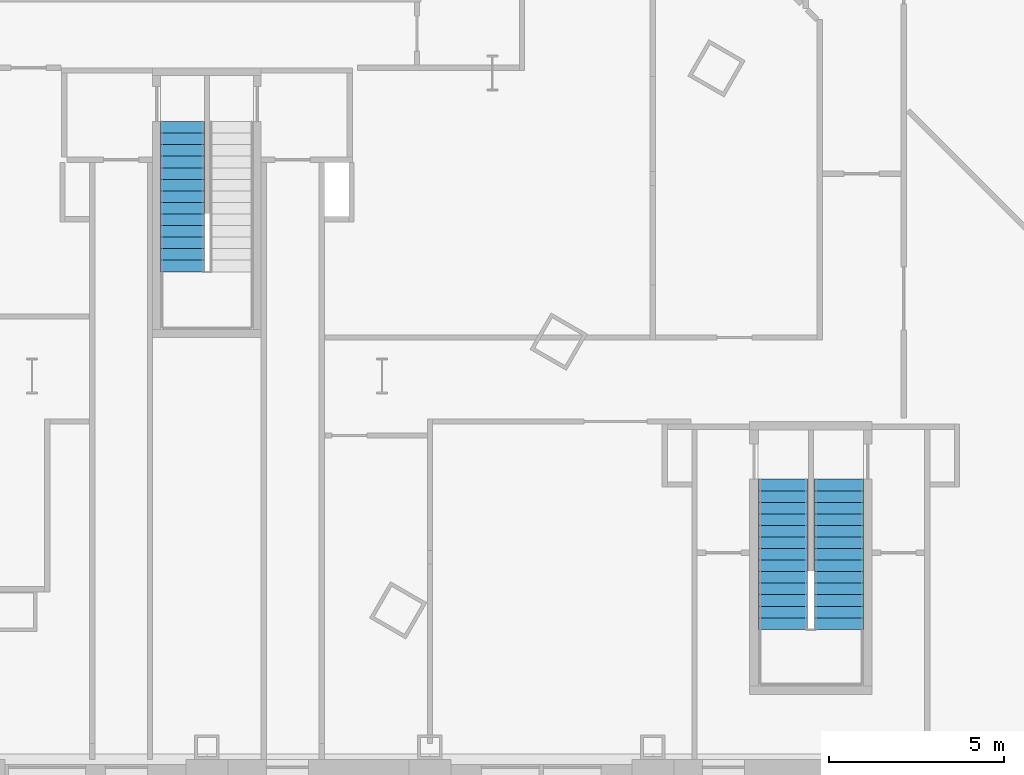
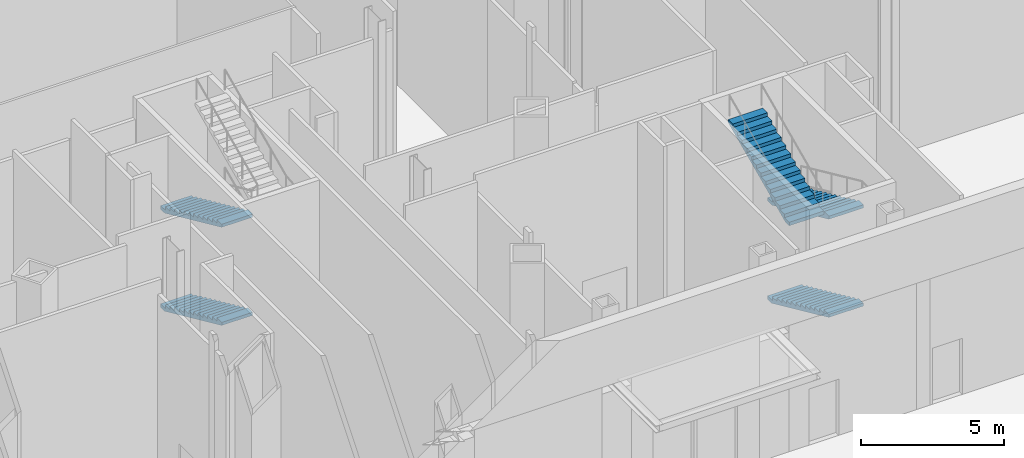
# One storey, part 26 of 34: 5 stair flights, 2 elements without a shape of their own.
"""IFC4 building model written with IfcOpenShell, lengths in metres."""

from ifc_helpers import new_model, si_unit, direction, frame, origin, place, context, subcontext, project, spatial, polygons, material, type_object, element, aggregate, save


model = new_model("IFC4")

# Units and contexts
model_context = context("Model", 3, precision=1e-05, world=origin(), true_north=direction((0.0, 1.0)))
body_context = subcontext(model_context, "Body", "Model", "MODEL_VIEW")
ifc_project = project(units=[si_unit("LENGTHUNIT", "METRE"), si_unit("AREAUNIT", "SQUARE_METRE"), si_unit("VOLUMEUNIT", "CUBIC_METRE"), si_unit("PLANEANGLEUNIT", "RADIAN"), si_unit("MASSUNIT", "GRAM", prefix="KILO")], contexts=[model_context])

# Site, building, storey
site_placement = place(None, origin())
site = spatial("IfcSite", under=ifc_project, at=site_placement, CompositionType="ELEMENT")
building_placement = place(site_placement, origin())
building = spatial("IfcBuilding", under=site, at=building_placement, Name="Njiva Tower", CompositionType="ELEMENT")
storey_placement = place(building_placement, origin())
storey = spatial("IfcBuildingStorey", under=building, at=storey_placement, Name="L00", CompositionType="ELEMENT", Elevation=0.0)

# Stair, stair flights
ifc_material = material(Name="Concrete C40/50", Category="concrete")
stair_type_1 = type_object("IfcStairType", Name="ST1 Exit stair 1250", PredefinedType="HALF_TURN_STAIR", material=ifc_material)
stair_1_placement = place(storey_placement, origin())
stair_1 = element("IfcStair", 1, at=stair_1_placement, inside=storey, type_object=stair_type_1, Name="Stair C", PredefinedType="DOUBLE_RETURN_STAIR")
stair_flight_type_1 = type_object("IfcStairFlightType", Name="FL1 Stair flight 1250", PredefinedType="STRAIGHT", material=ifc_material)
stair_flight_1_placement = place(storey_placement, frame((-0.7, -15.135, 0.0), z_axis=(0.0, 0.0, 1.0), x_axis=(0.0, -1.0, 0.0)))
stair_flight_1 = element("IfcStairFlight", 2, at=stair_flight_1_placement, type_object=stair_flight_type_1, Name="ST-C flight 1", NumberOfRisers=14, NumberOfTreads=13, PredefinedType="STRAIGHT", RiserHeight=0.15, TreadLength=0.33, context=body_context, shape_type="Tessellation", body=[
    polygons([(0.0, 0.625, 0.0), (0.0, 0.3125, 0.0), (0.0, 0.0, 0.0), (0.0, -0.3125, 0.0), (0.0, -0.625, 0.0), (0.0, 0.625, 0.15), (0.0, 0.3125, 0.15), (0.0, 0.0, 0.15), (0.0, -0.3125, 0.15), (0.0, -0.625, 0.15), (0.33, 0.625, 0.15), (0.33, 0.3125, 0.15), (0.33, 0.0, 0.15), (0.33, -0.3125, 0.15), (0.33, -0.625, 0.15), (0.33, 0.625, 0.3), (0.33, 0.3125, 0.3), (0.33, 0.0, 0.3), (0.33, -0.3125, 0.3), (0.33, -0.625, 0.3), (0.66, 0.625, 0.3), (0.66, 0.3125, 0.3), (0.66, 0.0, 0.3), (0.66, -0.3125, 0.3), (0.66, -0.625, 0.3), (0.66, 0.625, 0.45), (0.66, 0.3125, 0.45), (0.66, 0.0, 0.45), (0.66, -0.3125, 0.45), (0.66, -0.625, 0.45), (0.99, 0.625, 0.45), (0.99, 0.3125, 0.45), (0.99, 0.0, 0.45), (0.99, -0.3125, 0.45), (0.99, -0.625, 0.45), (0.99, 0.625, 0.6), (0.99, 0.3125, 0.6), (0.99, 0.0, 0.6), (0.99, -0.3125, 0.6), (0.99, -0.625, 0.6), (1.32, 0.625, 0.6), (1.32, 0.3125, 0.6), (1.32, 0.0, 0.6), (1.32, -0.3125, 0.6), (1.32, -0.625, 0.6), (1.32, 0.625, 0.75), (1.32, 0.3125, 0.75), (1.32, 0.0, 0.75), (1.32, -0.3125, 0.75), (1.32, -0.625, 0.75), (1.65, 0.625, 0.75), (1.65, 0.3125, 0.75), (1.65, 0.0, 0.75), (1.65, -0.3125, 0.75), (1.65, -0.625, 0.75), (1.65, 0.625, 0.9), (1.65, 0.3125, 0.9), (1.65, 0.0, 0.9), (1.65, -0.3125, 0.9), (1.65, -0.625, 0.9), (1.98, 0.625, 0.9), (1.98, 0.3125, 0.9), (1.98, 0.0, 0.9), (1.98, -0.3125, 0.9), (1.98, -0.625, 0.9), (1.98, 0.625, 1.05), (1.98, 0.3125, 1.05), (1.98, 0.0, 1.05), (1.98, -0.3125, 1.05), (1.98, -0.625, 1.05), (2.31, 0.625, 1.05), (2.31, 0.3125, 1.05), (2.31, 0.0, 1.05), (2.31, -0.3125, 1.05), (2.31, -0.625, 1.05), (2.31, 0.625, 1.2), (2.31, 0.3125, 1.2), (2.31, 0.0, 1.2), (2.31, -0.3125, 1.2), (2.31, -0.625, 1.2), (2.64, 0.625, 1.2), (2.64, 0.3125, 1.2), (2.64, 0.0, 1.2), (2.64, -0.3125, 1.2), (2.64, -0.625, 1.2), (2.64, 0.625, 1.35), (2.64, 0.3125, 1.35), (2.64, 0.0, 1.35), (2.64, -0.3125, 1.35), (2.64, -0.625, 1.35), (2.97, 0.625, 1.35), (2.97, 0.3125, 1.35), (2.97, 0.0, 1.35), (2.97, -0.3125, 1.35), (2.97, -0.625, 1.35), (2.97, 0.625, 1.5), (2.97, 0.3125, 1.5), (2.97, 0.0, 1.5), (2.97, -0.3125, 1.5), (2.97, -0.625, 1.5), (3.3, 0.625, 1.5), (3.3, 0.3125, 1.5), (3.3, 0.0, 1.5), (3.3, -0.3125, 1.5), (3.3, -0.625, 1.5), (3.3, 0.625, 1.65), (3.3, 0.3125, 1.65), (3.3, 0.0, 1.65), (3.3, -0.3125, 1.65), (3.3, -0.625, 1.65), (3.63, 0.625, 1.65), (3.63, 0.3125, 1.65), (3.63, 0.0, 1.65), (3.63, -0.3125, 1.65), (3.63, -0.625, 1.65), (3.63, 0.625, 1.8), (3.63, 0.3125, 1.8), (3.63, 0.0, 1.8), (3.63, -0.3125, 1.8), (3.63, -0.625, 1.8), (3.96, 0.625, 1.8), (3.96, 0.3125, 1.8), (3.96, 0.0, 1.8), (3.96, -0.3125, 1.8), (3.96, -0.625, 1.8), (3.96, 0.625, 1.95), (3.96, 0.3125, 1.95), (3.96, 0.0, 1.95), (3.96, -0.3125, 1.95), (3.96, -0.625, 1.95), (4.29, 0.625, 1.95), (4.29, 0.3125, 1.95), (4.29, 0.0, 1.95), (4.29, -0.3125, 1.95), (4.29, -0.625, 1.95), (4.29, 0.625, 1.8182), (4.29, 0.3125, 1.8182), (4.29, 0.0, 1.8182), (4.29, -0.3125, 1.8182), (4.29, -0.625, 1.8182), (0.29, 0.625, 0.0), (0.29, 0.3125, 0.0), (0.29, 0.0, 0.0), (0.29, -0.3125, 0.0), (0.29, -0.625, 0.0)], [[[1, 6, 11, 16, 21, 26, 31, 36, 41, 46, 51, 56, 61, 66, 71, 76, 81, 86, 91, 96, 101, 106, 111, 116, 121, 126, 131, 136, 141]], [[145, 140, 135, 130, 125, 120, 115, 110, 105, 100, 95, 90, 85, 80, 75, 70, 65, 60, 55, 50, 45, 40, 35, 30, 25, 20, 15, 10, 5]], [[6, 1, 2, 7]], [[7, 2, 3, 8]], [[8, 3, 4, 9]], [[9, 4, 5, 10]], [[11, 6, 7, 12]], [[12, 7, 8, 13]], [[13, 8, 9, 14]], [[14, 9, 10, 15]], [[16, 11, 12, 17]], [[17, 12, 13, 18]], [[18, 13, 14, 19]], [[19, 14, 15, 20]], [[21, 16, 17, 22]], [[22, 17, 18, 23]], [[23, 18, 19, 24]], [[24, 19, 20, 25]], [[26, 21, 22, 27]], [[27, 22, 23, 28]], [[28, 23, 24, 29]], [[29, 24, 25, 30]], [[31, 26, 27, 32]], [[32, 27, 28, 33]], [[33, 28, 29, 34]], [[34, 29, 30, 35]], [[36, 31, 32, 37]], [[37, 32, 33, 38]], [[38, 33, 34, 39]], [[39, 34, 35, 40]], [[41, 36, 37, 42]], [[42, 37, 38, 43]], [[43, 38, 39, 44]], [[44, 39, 40, 45]], [[46, 41, 42, 47]], [[47, 42, 43, 48]], [[48, 43, 44, 49]], [[49, 44, 45, 50]], [[51, 46, 47, 52]], [[52, 47, 48, 53]], [[53, 48, 49, 54]], [[54, 49, 50, 55]], [[56, 51, 52, 57]], [[57, 52, 53, 58]], [[58, 53, 54, 59]], [[59, 54, 55, 60]], [[61, 56, 57, 62]], [[62, 57, 58, 63]], [[63, 58, 59, 64]], [[64, 59, 60, 65]], [[66, 61, 62, 67]], [[67, 62, 63, 68]], [[68, 63, 64, 69]], [[69, 64, 65, 70]], [[71, 66, 67, 72]], [[72, 67, 68, 73]], [[73, 68, 69, 74]], [[74, 69, 70, 75]], [[76, 71, 72, 77]], [[77, 72, 73, 78]], [[78, 73, 74, 79]], [[79, 74, 75, 80]], [[81, 76, 77, 82]], [[82, 77, 78, 83]], [[83, 78, 79, 84]], [[84, 79, 80, 85]], [[86, 81, 82, 87]], [[87, 82, 83, 88]], [[88, 83, 84, 89]], [[89, 84, 85, 90]], [[91, 86, 87, 92]], [[92, 87, 88, 93]], [[93, 88, 89, 94]], [[94, 89, 90, 95]], [[96, 91, 92, 97]], [[97, 92, 93, 98]], [[98, 93, 94, 99]], [[99, 94, 95, 100]], [[101, 96, 97, 102]], [[102, 97, 98, 103]], [[103, 98, 99, 104]], [[104, 99, 100, 105]], [[106, 101, 102, 107]], [[107, 102, 103, 108]], [[108, 103, 104, 109]], [[109, 104, 105, 110]], [[111, 106, 107, 112]], [[112, 107, 108, 113]], [[113, 108, 109, 114]], [[114, 109, 110, 115]], [[116, 111, 112, 117]], [[117, 112, 113, 118]], [[118, 113, 114, 119]], [[119, 114, 115, 120]], [[121, 116, 117, 122]], [[122, 117, 118, 123]], [[123, 118, 119, 124]], [[124, 119, 120, 125]], [[126, 121, 122, 127]], [[127, 122, 123, 128]], [[128, 123, 124, 129]], [[129, 124, 125, 130]], [[131, 126, 127, 132]], [[132, 127, 128, 133]], [[133, 128, 129, 134]], [[134, 129, 130, 135]], [[136, 131, 132, 137]], [[137, 132, 133, 138]], [[138, 133, 134, 139]], [[139, 134, 135, 140]], [[141, 136, 137, 142]], [[142, 137, 138, 143]], [[143, 138, 139, 144]], [[144, 139, 140, 145]], [[1, 141, 142, 2]], [[2, 142, 143, 3]], [[3, 143, 144, 4]], [[4, 144, 145, 5]]], closed=True),
])
stair_flight_2_placement = place(storey_placement, frame((-0.7, -15.135, 4.2), z_axis=(0.0, 0.0, 1.0), x_axis=(0.0, -1.0, 0.0)))
stair_flight_2 = element("IfcStairFlight", 3, at=stair_flight_2_placement, type_object=stair_flight_type_1, Name="ST-C flight 3", NumberOfRisers=14, NumberOfTreads=13, PredefinedType="STRAIGHT", RiserHeight=0.15, TreadLength=0.33, context=body_context, shape_type="Tessellation", body=[
    polygons([(0.0, 0.625, 0.0), (0.0, 0.3125, 0.0), (0.0, 0.0, 0.0), (0.0, -0.3125, 0.0), (0.0, -0.625, 0.0), (0.0, 0.625, 0.15), (0.0, 0.3125, 0.15), (0.0, 0.0, 0.15), (0.0, -0.3125, 0.15), (0.0, -0.625, 0.15), (0.33, 0.625, 0.15), (0.33, 0.3125, 0.15), (0.33, 0.0, 0.15), (0.33, -0.3125, 0.15), (0.33, -0.625, 0.15), (0.33, 0.625, 0.3), (0.33, 0.3125, 0.3), (0.33, 0.0, 0.3), (0.33, -0.3125, 0.3), (0.33, -0.625, 0.3), (0.66, 0.625, 0.3), (0.66, 0.3125, 0.3), (0.66, 0.0, 0.3), (0.66, -0.3125, 0.3), (0.66, -0.625, 0.3), (0.66, 0.625, 0.45), (0.66, 0.3125, 0.45), (0.66, 0.0, 0.45), (0.66, -0.3125, 0.45), (0.66, -0.625, 0.45), (0.99, 0.625, 0.45), (0.99, 0.3125, 0.45), (0.99, 0.0, 0.45), (0.99, -0.3125, 0.45), (0.99, -0.625, 0.45), (0.99, 0.625, 0.6), (0.99, 0.3125, 0.6), (0.99, 0.0, 0.6), (0.99, -0.3125, 0.6), (0.99, -0.625, 0.6), (1.32, 0.625, 0.6), (1.32, 0.3125, 0.6), (1.32, 0.0, 0.6), (1.32, -0.3125, 0.6), (1.32, -0.625, 0.6), (1.32, 0.625, 0.75), (1.32, 0.3125, 0.75), (1.32, 0.0, 0.75), (1.32, -0.3125, 0.75), (1.32, -0.625, 0.75), (1.65, 0.625, 0.75), (1.65, 0.3125, 0.75), (1.65, 0.0, 0.75), (1.65, -0.3125, 0.75), (1.65, -0.625, 0.75), (1.65, 0.625, 0.9), (1.65, 0.3125, 0.9), (1.65, 0.0, 0.9), (1.65, -0.3125, 0.9), (1.65, -0.625, 0.9), (1.98, 0.625, 0.9), (1.98, 0.3125, 0.9), (1.98, 0.0, 0.9), (1.98, -0.3125, 0.9), (1.98, -0.625, 0.9), (1.98, 0.625, 1.05), (1.98, 0.3125, 1.05), (1.98, 0.0, 1.05), (1.98, -0.3125, 1.05), (1.98, -0.625, 1.05), (2.31, 0.625, 1.05), (2.31, 0.3125, 1.05), (2.31, 0.0, 1.05), (2.31, -0.3125, 1.05), (2.31, -0.625, 1.05), (2.31, 0.625, 1.2), (2.31, 0.3125, 1.2), (2.31, 0.0, 1.2), (2.31, -0.3125, 1.2), (2.31, -0.625, 1.2), (2.64, 0.625, 1.2), (2.64, 0.3125, 1.2), (2.64, 0.0, 1.2), (2.64, -0.3125, 1.2), (2.64, -0.625, 1.2), (2.64, 0.625, 1.35), (2.64, 0.3125, 1.35), (2.64, 0.0, 1.35), (2.64, -0.3125, 1.35), (2.64, -0.625, 1.35), (2.97, 0.625, 1.35), (2.97, 0.3125, 1.35), (2.97, 0.0, 1.35), (2.97, -0.3125, 1.35), (2.97, -0.625, 1.35), (2.97, 0.625, 1.5), (2.97, 0.3125, 1.5), (2.97, 0.0, 1.5), (2.97, -0.3125, 1.5), (2.97, -0.625, 1.5), (3.3, 0.625, 1.5), (3.3, 0.3125, 1.5), (3.3, 0.0, 1.5), (3.3, -0.3125, 1.5), (3.3, -0.625, 1.5), (3.3, 0.625, 1.65), (3.3, 0.3125, 1.65), (3.3, 0.0, 1.65), (3.3, -0.3125, 1.65), (3.3, -0.625, 1.65), (3.63, 0.625, 1.65), (3.63, 0.3125, 1.65), (3.63, 0.0, 1.65), (3.63, -0.3125, 1.65), (3.63, -0.625, 1.65), (3.63, 0.625, 1.8), (3.63, 0.3125, 1.8), (3.63, 0.0, 1.8), (3.63, -0.3125, 1.8), (3.63, -0.625, 1.8), (3.96, 0.625, 1.8), (3.96, 0.3125, 1.8), (3.96, 0.0, 1.8), (3.96, -0.3125, 1.8), (3.96, -0.625, 1.8), (3.96, 0.625, 1.95), (3.96, 0.3125, 1.95), (3.96, 0.0, 1.95), (3.96, -0.3125, 1.95), (3.96, -0.625, 1.95), (4.29, 0.625, 1.95), (4.29, 0.3125, 1.95), (4.29, 0.0, 1.95), (4.29, -0.3125, 1.95), (4.29, -0.625, 1.95), (4.29, 0.625, 1.8182), (4.29, 0.3125, 1.8182), (4.29, 0.0, 1.8182), (4.29, -0.3125, 1.8182), (4.29, -0.625, 1.8182), (0.29, 0.625, 0.0), (0.29, 0.3125, 0.0), (0.29, 0.0, 0.0), (0.29, -0.3125, 0.0), (0.29, -0.625, 0.0)], [[[1, 6, 11, 16, 21, 26, 31, 36, 41, 46, 51, 56, 61, 66, 71, 76, 81, 86, 91, 96, 101, 106, 111, 116, 121, 126, 131, 136, 141]], [[145, 140, 135, 130, 125, 120, 115, 110, 105, 100, 95, 90, 85, 80, 75, 70, 65, 60, 55, 50, 45, 40, 35, 30, 25, 20, 15, 10, 5]], [[6, 1, 2, 7]], [[7, 2, 3, 8]], [[8, 3, 4, 9]], [[9, 4, 5, 10]], [[11, 6, 7, 12]], [[12, 7, 8, 13]], [[13, 8, 9, 14]], [[14, 9, 10, 15]], [[16, 11, 12, 17]], [[17, 12, 13, 18]], [[18, 13, 14, 19]], [[19, 14, 15, 20]], [[21, 16, 17, 22]], [[22, 17, 18, 23]], [[23, 18, 19, 24]], [[24, 19, 20, 25]], [[26, 21, 22, 27]], [[27, 22, 23, 28]], [[28, 23, 24, 29]], [[29, 24, 25, 30]], [[31, 26, 27, 32]], [[32, 27, 28, 33]], [[33, 28, 29, 34]], [[34, 29, 30, 35]], [[36, 31, 32, 37]], [[37, 32, 33, 38]], [[38, 33, 34, 39]], [[39, 34, 35, 40]], [[41, 36, 37, 42]], [[42, 37, 38, 43]], [[43, 38, 39, 44]], [[44, 39, 40, 45]], [[46, 41, 42, 47]], [[47, 42, 43, 48]], [[48, 43, 44, 49]], [[49, 44, 45, 50]], [[51, 46, 47, 52]], [[52, 47, 48, 53]], [[53, 48, 49, 54]], [[54, 49, 50, 55]], [[56, 51, 52, 57]], [[57, 52, 53, 58]], [[58, 53, 54, 59]], [[59, 54, 55, 60]], [[61, 56, 57, 62]], [[62, 57, 58, 63]], [[63, 58, 59, 64]], [[64, 59, 60, 65]], [[66, 61, 62, 67]], [[67, 62, 63, 68]], [[68, 63, 64, 69]], [[69, 64, 65, 70]], [[71, 66, 67, 72]], [[72, 67, 68, 73]], [[73, 68, 69, 74]], [[74, 69, 70, 75]], [[76, 71, 72, 77]], [[77, 72, 73, 78]], [[78, 73, 74, 79]], [[79, 74, 75, 80]], [[81, 76, 77, 82]], [[82, 77, 78, 83]], [[83, 78, 79, 84]], [[84, 79, 80, 85]], [[86, 81, 82, 87]], [[87, 82, 83, 88]], [[88, 83, 84, 89]], [[89, 84, 85, 90]], [[91, 86, 87, 92]], [[92, 87, 88, 93]], [[93, 88, 89, 94]], [[94, 89, 90, 95]], [[96, 91, 92, 97]], [[97, 92, 93, 98]], [[98, 93, 94, 99]], [[99, 94, 95, 100]], [[101, 96, 97, 102]], [[102, 97, 98, 103]], [[103, 98, 99, 104]], [[104, 99, 100, 105]], [[106, 101, 102, 107]], [[107, 102, 103, 108]], [[108, 103, 104, 109]], [[109, 104, 105, 110]], [[111, 106, 107, 112]], [[112, 107, 108, 113]], [[113, 108, 109, 114]], [[114, 109, 110, 115]], [[116, 111, 112, 117]], [[117, 112, 113, 118]], [[118, 113, 114, 119]], [[119, 114, 115, 120]], [[121, 116, 117, 122]], [[122, 117, 118, 123]], [[123, 118, 119, 124]], [[124, 119, 120, 125]], [[126, 121, 122, 127]], [[127, 122, 123, 128]], [[128, 123, 124, 129]], [[129, 124, 125, 130]], [[131, 126, 127, 132]], [[132, 127, 128, 133]], [[133, 128, 129, 134]], [[134, 129, 130, 135]], [[136, 131, 132, 137]], [[137, 132, 133, 138]], [[138, 133, 134, 139]], [[139, 134, 135, 140]], [[141, 136, 137, 142]], [[142, 137, 138, 143]], [[143, 138, 139, 144]], [[144, 139, 140, 145]], [[1, 141, 142, 2]], [[2, 142, 143, 3]], [[3, 143, 144, 4]], [[4, 144, 145, 5]]], closed=True),
])
aggregate(stair_1, [stair_flight_1, stair_flight_2])

stair_type_2 = type_object("IfcStairType", Name="ST2 Exit stair 1400", PredefinedType="HALF_TURN_STAIR", material=ifc_material)
stair_2_placement = place(storey_placement, origin())
stair_2 = element("IfcStair", 4, at=stair_2_placement, inside=storey, type_object=stair_type_2, Name="Stair E", PredefinedType="DOUBLE_RETURN_STAIR")
stair_flight_type_2 = type_object("IfcStairFlightType", Name="FL2 Stair flight 1400", PredefinedType="STRAIGHT", material=ifc_material)
stair_flight_3_placement = place(storey_placement, frame((18.05, -25.35, 0.0), z_axis=(0.0, 0.0, 1.0), x_axis=(0.0, -1.0, 0.0)))
stair_flight_3 = element("IfcStairFlight", 5, at=stair_flight_3_placement, type_object=stair_flight_type_2, Name="ST-E flight 1", NumberOfRisers=14, NumberOfTreads=13, PredefinedType="STRAIGHT", RiserHeight=0.15, TreadLength=0.33, context=body_context, shape_type="Tessellation", body=[
    polygons([(0.0, 0.7, 0.0), (0.0, 0.35, 0.0), (0.0, 0.0, 0.0), (0.0, -0.35, 0.0), (0.0, -0.7, 0.0), (0.0, 0.7, 0.15), (0.0, 0.35, 0.15), (0.0, 0.0, 0.15), (0.0, -0.35, 0.15), (0.0, -0.7, 0.15), (0.33, 0.7, 0.15), (0.33, 0.35, 0.15), (0.33, 0.0, 0.15), (0.33, -0.35, 0.15), (0.33, -0.7, 0.15), (0.33, 0.7, 0.3), (0.33, 0.35, 0.3), (0.33, 0.0, 0.3), (0.33, -0.35, 0.3), (0.33, -0.7, 0.3), (0.66, 0.7, 0.3), (0.66, 0.35, 0.3), (0.66, 0.0, 0.3), (0.66, -0.35, 0.3), (0.66, -0.7, 0.3), (0.66, 0.7, 0.45), (0.66, 0.35, 0.45), (0.66, 0.0, 0.45), (0.66, -0.35, 0.45), (0.66, -0.7, 0.45), (0.99, 0.7, 0.45), (0.99, 0.35, 0.45), (0.99, 0.0, 0.45), (0.99, -0.35, 0.45), (0.99, -0.7, 0.45), (0.99, 0.7, 0.6), (0.99, 0.35, 0.6), (0.99, 0.0, 0.6), (0.99, -0.35, 0.6), (0.99, -0.7, 0.6), (1.32, 0.7, 0.6), (1.32, 0.35, 0.6), (1.32, 0.0, 0.6), (1.32, -0.35, 0.6), (1.32, -0.7, 0.6), (1.32, 0.7, 0.75), (1.32, 0.35, 0.75), (1.32, 0.0, 0.75), (1.32, -0.35, 0.75), (1.32, -0.7, 0.75), (1.65, 0.7, 0.75), (1.65, 0.35, 0.75), (1.65, 0.0, 0.75), (1.65, -0.35, 0.75), (1.65, -0.7, 0.75), (1.65, 0.7, 0.9), (1.65, 0.35, 0.9), (1.65, 0.0, 0.9), (1.65, -0.35, 0.9), (1.65, -0.7, 0.9), (1.98, 0.7, 0.9), (1.98, 0.35, 0.9), (1.98, 0.0, 0.9), (1.98, -0.35, 0.9), (1.98, -0.7, 0.9), (1.98, 0.7, 1.05), (1.98, 0.35, 1.05), (1.98, 0.0, 1.05), (1.98, -0.35, 1.05), (1.98, -0.7, 1.05), (2.31, 0.7, 1.05), (2.31, 0.35, 1.05), (2.31, 0.0, 1.05), (2.31, -0.35, 1.05), (2.31, -0.7, 1.05), (2.31, 0.7, 1.2), (2.31, 0.35, 1.2), (2.31, 0.0, 1.2), (2.31, -0.35, 1.2), (2.31, -0.7, 1.2), (2.64, 0.7, 1.2), (2.64, 0.35, 1.2), (2.64, 0.0, 1.2), (2.64, -0.35, 1.2), (2.64, -0.7, 1.2), (2.64, 0.7, 1.35), (2.64, 0.35, 1.35), (2.64, 0.0, 1.35), (2.64, -0.35, 1.35), (2.64, -0.7, 1.35), (2.97, 0.7, 1.35), (2.97, 0.35, 1.35), (2.97, 0.0, 1.35), (2.97, -0.35, 1.35), (2.97, -0.7, 1.35), (2.97, 0.7, 1.5), (2.97, 0.35, 1.5), (2.97, 0.0, 1.5), (2.97, -0.35, 1.5), (2.97, -0.7, 1.5), (3.3, 0.7, 1.5), (3.3, 0.35, 1.5), (3.3, 0.0, 1.5), (3.3, -0.35, 1.5), (3.3, -0.7, 1.5), (3.3, 0.7, 1.65), (3.3, 0.35, 1.65), (3.3, 0.0, 1.65), (3.3, -0.35, 1.65), (3.3, -0.7, 1.65), (3.63, 0.7, 1.65), (3.63, 0.35, 1.65), (3.63, 0.0, 1.65), (3.63, -0.35, 1.65), (3.63, -0.7, 1.65), (3.63, 0.7, 1.8), (3.63, 0.35, 1.8), (3.63, 0.0, 1.8), (3.63, -0.35, 1.8), (3.63, -0.7, 1.8), (3.96, 0.7, 1.8), (3.96, 0.35, 1.8), (3.96, 0.0, 1.8), (3.96, -0.35, 1.8), (3.96, -0.7, 1.8), (3.96, 0.7, 1.95), (3.96, 0.35, 1.95), (3.96, 0.0, 1.95), (3.96, -0.35, 1.95), (3.96, -0.7, 1.95), (4.29, 0.7, 1.95), (4.29, 0.35, 1.95), (4.29, 0.0, 1.95), (4.29, -0.35, 1.95), (4.29, -0.7, 1.95), (4.29, 0.7, 1.8182), (4.29, 0.35, 1.8182), (4.29, 0.0, 1.8182), (4.29, -0.35, 1.8182), (4.29, -0.7, 1.8182), (0.29, 0.7, 0.0), (0.29, 0.35, 0.0), (0.29, 0.0, 0.0), (0.29, -0.35, 0.0), (0.29, -0.7, 0.0)], [[[1, 6, 11, 16, 21, 26, 31, 36, 41, 46, 51, 56, 61, 66, 71, 76, 81, 86, 91, 96, 101, 106, 111, 116, 121, 126, 131, 136, 141]], [[145, 140, 135, 130, 125, 120, 115, 110, 105, 100, 95, 90, 85, 80, 75, 70, 65, 60, 55, 50, 45, 40, 35, 30, 25, 20, 15, 10, 5]], [[6, 1, 2, 7]], [[7, 2, 3, 8]], [[8, 3, 4, 9]], [[9, 4, 5, 10]], [[11, 6, 7, 12]], [[12, 7, 8, 13]], [[13, 8, 9, 14]], [[14, 9, 10, 15]], [[16, 11, 12, 17]], [[17, 12, 13, 18]], [[18, 13, 14, 19]], [[19, 14, 15, 20]], [[21, 16, 17, 22]], [[22, 17, 18, 23]], [[23, 18, 19, 24]], [[24, 19, 20, 25]], [[26, 21, 22, 27]], [[27, 22, 23, 28]], [[28, 23, 24, 29]], [[29, 24, 25, 30]], [[31, 26, 27, 32]], [[32, 27, 28, 33]], [[33, 28, 29, 34]], [[34, 29, 30, 35]], [[36, 31, 32, 37]], [[37, 32, 33, 38]], [[38, 33, 34, 39]], [[39, 34, 35, 40]], [[41, 36, 37, 42]], [[42, 37, 38, 43]], [[43, 38, 39, 44]], [[44, 39, 40, 45]], [[46, 41, 42, 47]], [[47, 42, 43, 48]], [[48, 43, 44, 49]], [[49, 44, 45, 50]], [[51, 46, 47, 52]], [[52, 47, 48, 53]], [[53, 48, 49, 54]], [[54, 49, 50, 55]], [[56, 51, 52, 57]], [[57, 52, 53, 58]], [[58, 53, 54, 59]], [[59, 54, 55, 60]], [[61, 56, 57, 62]], [[62, 57, 58, 63]], [[63, 58, 59, 64]], [[64, 59, 60, 65]], [[66, 61, 62, 67]], [[67, 62, 63, 68]], [[68, 63, 64, 69]], [[69, 64, 65, 70]], [[71, 66, 67, 72]], [[72, 67, 68, 73]], [[73, 68, 69, 74]], [[74, 69, 70, 75]], [[76, 71, 72, 77]], [[77, 72, 73, 78]], [[78, 73, 74, 79]], [[79, 74, 75, 80]], [[81, 76, 77, 82]], [[82, 77, 78, 83]], [[83, 78, 79, 84]], [[84, 79, 80, 85]], [[86, 81, 82, 87]], [[87, 82, 83, 88]], [[88, 83, 84, 89]], [[89, 84, 85, 90]], [[91, 86, 87, 92]], [[92, 87, 88, 93]], [[93, 88, 89, 94]], [[94, 89, 90, 95]], [[96, 91, 92, 97]], [[97, 92, 93, 98]], [[98, 93, 94, 99]], [[99, 94, 95, 100]], [[101, 96, 97, 102]], [[102, 97, 98, 103]], [[103, 98, 99, 104]], [[104, 99, 100, 105]], [[106, 101, 102, 107]], [[107, 102, 103, 108]], [[108, 103, 104, 109]], [[109, 104, 105, 110]], [[111, 106, 107, 112]], [[112, 107, 108, 113]], [[113, 108, 109, 114]], [[114, 109, 110, 115]], [[116, 111, 112, 117]], [[117, 112, 113, 118]], [[118, 113, 114, 119]], [[119, 114, 115, 120]], [[121, 116, 117, 122]], [[122, 117, 118, 123]], [[123, 118, 119, 124]], [[124, 119, 120, 125]], [[126, 121, 122, 127]], [[127, 122, 123, 128]], [[128, 123, 124, 129]], [[129, 124, 125, 130]], [[131, 126, 127, 132]], [[132, 127, 128, 133]], [[133, 128, 129, 134]], [[134, 129, 130, 135]], [[136, 131, 132, 137]], [[137, 132, 133, 138]], [[138, 133, 134, 139]], [[139, 134, 135, 140]], [[141, 136, 137, 142]], [[142, 137, 138, 143]], [[143, 138, 139, 144]], [[144, 139, 140, 145]], [[1, 141, 142, 2]], [[2, 142, 143, 3]], [[3, 143, 144, 4]], [[4, 144, 145, 5]]], closed=True),
])
stair_flight_4_placement = place(storey_placement, frame((18.05, -25.35, 4.2), z_axis=(0.0, 0.0, 1.0), x_axis=(0.0, -1.0, 0.0)))
stair_flight_4 = element("IfcStairFlight", 6, at=stair_flight_4_placement, type_object=stair_flight_type_2, Name="ST-E flight 3", NumberOfRisers=14, NumberOfTreads=13, PredefinedType="STRAIGHT", RiserHeight=0.15, TreadLength=0.33, context=body_context, shape_type="Tessellation", body=[
    polygons([(0.0, 0.7, 0.0), (0.0, 0.35, 0.0), (0.0, 0.0, 0.0), (0.0, -0.35, 0.0), (0.0, -0.7, 0.0), (0.0, 0.7, 0.15), (0.0, 0.35, 0.15), (0.0, 0.0, 0.15), (0.0, -0.35, 0.15), (0.0, -0.7, 0.15), (0.33, 0.7, 0.15), (0.33, 0.35, 0.15), (0.33, 0.0, 0.15), (0.33, -0.35, 0.15), (0.33, -0.7, 0.15), (0.33, 0.7, 0.3), (0.33, 0.35, 0.3), (0.33, 0.0, 0.3), (0.33, -0.35, 0.3), (0.33, -0.7, 0.3), (0.66, 0.7, 0.3), (0.66, 0.35, 0.3), (0.66, 0.0, 0.3), (0.66, -0.35, 0.3), (0.66, -0.7, 0.3), (0.66, 0.7, 0.45), (0.66, 0.35, 0.45), (0.66, 0.0, 0.45), (0.66, -0.35, 0.45), (0.66, -0.7, 0.45), (0.99, 0.7, 0.45), (0.99, 0.35, 0.45), (0.99, 0.0, 0.45), (0.99, -0.35, 0.45), (0.99, -0.7, 0.45), (0.99, 0.7, 0.6), (0.99, 0.35, 0.6), (0.99, 0.0, 0.6), (0.99, -0.35, 0.6), (0.99, -0.7, 0.6), (1.32, 0.7, 0.6), (1.32, 0.35, 0.6), (1.32, 0.0, 0.6), (1.32, -0.35, 0.6), (1.32, -0.7, 0.6), (1.32, 0.7, 0.75), (1.32, 0.35, 0.75), (1.32, 0.0, 0.75), (1.32, -0.35, 0.75), (1.32, -0.7, 0.75), (1.65, 0.7, 0.75), (1.65, 0.35, 0.75), (1.65, 0.0, 0.75), (1.65, -0.35, 0.75), (1.65, -0.7, 0.75), (1.65, 0.7, 0.9), (1.65, 0.35, 0.9), (1.65, 0.0, 0.9), (1.65, -0.35, 0.9), (1.65, -0.7, 0.9), (1.98, 0.7, 0.9), (1.98, 0.35, 0.9), (1.98, 0.0, 0.9), (1.98, -0.35, 0.9), (1.98, -0.7, 0.9), (1.98, 0.7, 1.05), (1.98, 0.35, 1.05), (1.98, 0.0, 1.05), (1.98, -0.35, 1.05), (1.98, -0.7, 1.05), (2.31, 0.7, 1.05), (2.31, 0.35, 1.05), (2.31, 0.0, 1.05), (2.31, -0.35, 1.05), (2.31, -0.7, 1.05), (2.31, 0.7, 1.2), (2.31, 0.35, 1.2), (2.31, 0.0, 1.2), (2.31, -0.35, 1.2), (2.31, -0.7, 1.2), (2.64, 0.7, 1.2), (2.64, 0.35, 1.2), (2.64, 0.0, 1.2), (2.64, -0.35, 1.2), (2.64, -0.7, 1.2), (2.64, 0.7, 1.35), (2.64, 0.35, 1.35), (2.64, 0.0, 1.35), (2.64, -0.35, 1.35), (2.64, -0.7, 1.35), (2.97, 0.7, 1.35), (2.97, 0.35, 1.35), (2.97, 0.0, 1.35), (2.97, -0.35, 1.35), (2.97, -0.7, 1.35), (2.97, 0.7, 1.5), (2.97, 0.35, 1.5), (2.97, 0.0, 1.5), (2.97, -0.35, 1.5), (2.97, -0.7, 1.5), (3.3, 0.7, 1.5), (3.3, 0.35, 1.5), (3.3, 0.0, 1.5), (3.3, -0.35, 1.5), (3.3, -0.7, 1.5), (3.3, 0.7, 1.65), (3.3, 0.35, 1.65), (3.3, 0.0, 1.65), (3.3, -0.35, 1.65), (3.3, -0.7, 1.65), (3.63, 0.7, 1.65), (3.63, 0.35, 1.65), (3.63, 0.0, 1.65), (3.63, -0.35, 1.65), (3.63, -0.7, 1.65), (3.63, 0.7, 1.8), (3.63, 0.35, 1.8), (3.63, 0.0, 1.8), (3.63, -0.35, 1.8), (3.63, -0.7, 1.8), (3.96, 0.7, 1.8), (3.96, 0.35, 1.8), (3.96, 0.0, 1.8), (3.96, -0.35, 1.8), (3.96, -0.7, 1.8), (3.96, 0.7, 1.95), (3.96, 0.35, 1.95), (3.96, 0.0, 1.95), (3.96, -0.35, 1.95), (3.96, -0.7, 1.95), (4.29, 0.7, 1.95), (4.29, 0.35, 1.95), (4.29, 0.0, 1.95), (4.29, -0.35, 1.95), (4.29, -0.7, 1.95), (4.29, 0.7, 1.8182), (4.29, 0.35, 1.8182), (4.29, 0.0, 1.8182), (4.29, -0.35, 1.8182), (4.29, -0.7, 1.8182), (0.29, 0.7, 0.0), (0.29, 0.35, 0.0), (0.29, 0.0, 0.0), (0.29, -0.35, 0.0), (0.29, -0.7, 0.0)], [[[1, 6, 11, 16, 21, 26, 31, 36, 41, 46, 51, 56, 61, 66, 71, 76, 81, 86, 91, 96, 101, 106, 111, 116, 121, 126, 131, 136, 141]], [[145, 140, 135, 130, 125, 120, 115, 110, 105, 100, 95, 90, 85, 80, 75, 70, 65, 60, 55, 50, 45, 40, 35, 30, 25, 20, 15, 10, 5]], [[6, 1, 2, 7]], [[7, 2, 3, 8]], [[8, 3, 4, 9]], [[9, 4, 5, 10]], [[11, 6, 7, 12]], [[12, 7, 8, 13]], [[13, 8, 9, 14]], [[14, 9, 10, 15]], [[16, 11, 12, 17]], [[17, 12, 13, 18]], [[18, 13, 14, 19]], [[19, 14, 15, 20]], [[21, 16, 17, 22]], [[22, 17, 18, 23]], [[23, 18, 19, 24]], [[24, 19, 20, 25]], [[26, 21, 22, 27]], [[27, 22, 23, 28]], [[28, 23, 24, 29]], [[29, 24, 25, 30]], [[31, 26, 27, 32]], [[32, 27, 28, 33]], [[33, 28, 29, 34]], [[34, 29, 30, 35]], [[36, 31, 32, 37]], [[37, 32, 33, 38]], [[38, 33, 34, 39]], [[39, 34, 35, 40]], [[41, 36, 37, 42]], [[42, 37, 38, 43]], [[43, 38, 39, 44]], [[44, 39, 40, 45]], [[46, 41, 42, 47]], [[47, 42, 43, 48]], [[48, 43, 44, 49]], [[49, 44, 45, 50]], [[51, 46, 47, 52]], [[52, 47, 48, 53]], [[53, 48, 49, 54]], [[54, 49, 50, 55]], [[56, 51, 52, 57]], [[57, 52, 53, 58]], [[58, 53, 54, 59]], [[59, 54, 55, 60]], [[61, 56, 57, 62]], [[62, 57, 58, 63]], [[63, 58, 59, 64]], [[64, 59, 60, 65]], [[66, 61, 62, 67]], [[67, 62, 63, 68]], [[68, 63, 64, 69]], [[69, 64, 65, 70]], [[71, 66, 67, 72]], [[72, 67, 68, 73]], [[73, 68, 69, 74]], [[74, 69, 70, 75]], [[76, 71, 72, 77]], [[77, 72, 73, 78]], [[78, 73, 74, 79]], [[79, 74, 75, 80]], [[81, 76, 77, 82]], [[82, 77, 78, 83]], [[83, 78, 79, 84]], [[84, 79, 80, 85]], [[86, 81, 82, 87]], [[87, 82, 83, 88]], [[88, 83, 84, 89]], [[89, 84, 85, 90]], [[91, 86, 87, 92]], [[92, 87, 88, 93]], [[93, 88, 89, 94]], [[94, 89, 90, 95]], [[96, 91, 92, 97]], [[97, 92, 93, 98]], [[98, 93, 94, 99]], [[99, 94, 95, 100]], [[101, 96, 97, 102]], [[102, 97, 98, 103]], [[103, 98, 99, 104]], [[104, 99, 100, 105]], [[106, 101, 102, 107]], [[107, 102, 103, 108]], [[108, 103, 104, 109]], [[109, 104, 105, 110]], [[111, 106, 107, 112]], [[112, 107, 108, 113]], [[113, 108, 109, 114]], [[114, 109, 110, 115]], [[116, 111, 112, 117]], [[117, 112, 113, 118]], [[118, 113, 114, 119]], [[119, 114, 115, 120]], [[121, 116, 117, 122]], [[122, 117, 118, 123]], [[123, 118, 119, 124]], [[124, 119, 120, 125]], [[126, 121, 122, 127]], [[127, 122, 123, 128]], [[128, 123, 124, 129]], [[129, 124, 125, 130]], [[131, 126, 127, 132]], [[132, 127, 128, 133]], [[133, 128, 129, 134]], [[134, 129, 130, 135]], [[136, 131, 132, 137]], [[137, 132, 133, 138]], [[138, 133, 134, 139]], [[139, 134, 135, 140]], [[141, 136, 137, 142]], [[142, 137, 138, 143]], [[143, 138, 139, 144]], [[144, 139, 140, 145]], [[1, 141, 142, 2]], [[2, 142, 143, 3]], [[3, 143, 144, 4]], [[4, 144, 145, 5]]], closed=True),
])
stair_flight_5_placement = place(storey_placement, frame((16.45, -29.64, 6.3), z_axis=(0.0, 0.0, 1.0), x_axis=(0.0, 1.0, 0.0)))
stair_flight_5 = element("IfcStairFlight", 7, at=stair_flight_5_placement, type_object=stair_flight_type_2, Name="ST-E flight 4", NumberOfRisers=14, NumberOfTreads=13, PredefinedType="STRAIGHT", RiserHeight=0.15, TreadLength=0.33, context=body_context, shape_type="Tessellation", body=[
    polygons([(0.0, 0.7, 0.0), (0.0, 0.35, 0.0), (0.0, 0.0, 0.0), (0.0, -0.35, 0.0), (0.0, -0.7, 0.0), (0.0, 0.7, 0.15), (0.0, 0.35, 0.15), (0.0, 0.0, 0.15), (0.0, -0.35, 0.15), (0.0, -0.7, 0.15), (0.33, 0.7, 0.15), (0.33, 0.35, 0.15), (0.33, 0.0, 0.15), (0.33, -0.35, 0.15), (0.33, -0.7, 0.15), (0.33, 0.7, 0.3), (0.33, 0.35, 0.3), (0.33, 0.0, 0.3), (0.33, -0.35, 0.3), (0.33, -0.7, 0.3), (0.66, 0.7, 0.3), (0.66, 0.35, 0.3), (0.66, 0.0, 0.3), (0.66, -0.35, 0.3), (0.66, -0.7, 0.3), (0.66, 0.7, 0.45), (0.66, 0.35, 0.45), (0.66, 0.0, 0.45), (0.66, -0.35, 0.45), (0.66, -0.7, 0.45), (0.99, 0.7, 0.45), (0.99, 0.35, 0.45), (0.99, 0.0, 0.45), (0.99, -0.35, 0.45), (0.99, -0.7, 0.45), (0.99, 0.7, 0.6), (0.99, 0.35, 0.6), (0.99, 0.0, 0.6), (0.99, -0.35, 0.6), (0.99, -0.7, 0.6), (1.32, 0.7, 0.6), (1.32, 0.35, 0.6), (1.32, 0.0, 0.6), (1.32, -0.35, 0.6), (1.32, -0.7, 0.6), (1.32, 0.7, 0.75), (1.32, 0.35, 0.75), (1.32, 0.0, 0.75), (1.32, -0.35, 0.75), (1.32, -0.7, 0.75), (1.65, 0.7, 0.75), (1.65, 0.35, 0.75), (1.65, 0.0, 0.75), (1.65, -0.35, 0.75), (1.65, -0.7, 0.75), (1.65, 0.7, 0.9), (1.65, 0.35, 0.9), (1.65, 0.0, 0.9), (1.65, -0.35, 0.9), (1.65, -0.7, 0.9), (1.98, 0.7, 0.9), (1.98, 0.35, 0.9), (1.98, 0.0, 0.9), (1.98, -0.35, 0.9), (1.98, -0.7, 0.9), (1.98, 0.7, 1.05), (1.98, 0.35, 1.05), (1.98, 0.0, 1.05), (1.98, -0.35, 1.05), (1.98, -0.7, 1.05), (2.31, 0.7, 1.05), (2.31, 0.35, 1.05), (2.31, 0.0, 1.05), (2.31, -0.35, 1.05), (2.31, -0.7, 1.05), (2.31, 0.7, 1.2), (2.31, 0.35, 1.2), (2.31, 0.0, 1.2), (2.31, -0.35, 1.2), (2.31, -0.7, 1.2), (2.64, 0.7, 1.2), (2.64, 0.35, 1.2), (2.64, 0.0, 1.2), (2.64, -0.35, 1.2), (2.64, -0.7, 1.2), (2.64, 0.7, 1.35), (2.64, 0.35, 1.35), (2.64, 0.0, 1.35), (2.64, -0.35, 1.35), (2.64, -0.7, 1.35), (2.97, 0.7, 1.35), (2.97, 0.35, 1.35), (2.97, 0.0, 1.35), (2.97, -0.35, 1.35), (2.97, -0.7, 1.35), (2.97, 0.7, 1.5), (2.97, 0.35, 1.5), (2.97, 0.0, 1.5), (2.97, -0.35, 1.5), (2.97, -0.7, 1.5), (3.3, 0.7, 1.5), (3.3, 0.35, 1.5), (3.3, 0.0, 1.5), (3.3, -0.35, 1.5), (3.3, -0.7, 1.5), (3.3, 0.7, 1.65), (3.3, 0.35, 1.65), (3.3, 0.0, 1.65), (3.3, -0.35, 1.65), (3.3, -0.7, 1.65), (3.63, 0.7, 1.65), (3.63, 0.35, 1.65), (3.63, 0.0, 1.65), (3.63, -0.35, 1.65), (3.63, -0.7, 1.65), (3.63, 0.7, 1.8), (3.63, 0.35, 1.8), (3.63, 0.0, 1.8), (3.63, -0.35, 1.8), (3.63, -0.7, 1.8), (3.96, 0.7, 1.8), (3.96, 0.35, 1.8), (3.96, 0.0, 1.8), (3.96, -0.35, 1.8), (3.96, -0.7, 1.8), (3.96, 0.7, 1.95), (3.96, 0.35, 1.95), (3.96, 0.0, 1.95), (3.96, -0.35, 1.95), (3.96, -0.7, 1.95), (4.29, 0.7, 1.95), (4.29, 0.35, 1.95), (4.29, 0.0, 1.95), (4.29, -0.35, 1.95), (4.29, -0.7, 1.95), (4.29, 0.7, 1.8182), (4.29, 0.35, 1.8182), (4.29, 0.0, 1.8182), (4.29, -0.35, 1.8182), (4.29, -0.7, 1.8182), (0.29, 0.7, 0.0), (0.29, 0.35, 0.0), (0.29, 0.0, 0.0), (0.29, -0.35, 0.0), (0.29, -0.7, 0.0)], [[[1, 6, 11, 16, 21, 26, 31, 36, 41, 46, 51, 56, 61, 66, 71, 76, 81, 86, 91, 96, 101, 106, 111, 116, 121, 126, 131, 136, 141]], [[145, 140, 135, 130, 125, 120, 115, 110, 105, 100, 95, 90, 85, 80, 75, 70, 65, 60, 55, 50, 45, 40, 35, 30, 25, 20, 15, 10, 5]], [[6, 1, 2, 7]], [[7, 2, 3, 8]], [[8, 3, 4, 9]], [[9, 4, 5, 10]], [[11, 6, 7, 12]], [[12, 7, 8, 13]], [[13, 8, 9, 14]], [[14, 9, 10, 15]], [[16, 11, 12, 17]], [[17, 12, 13, 18]], [[18, 13, 14, 19]], [[19, 14, 15, 20]], [[21, 16, 17, 22]], [[22, 17, 18, 23]], [[23, 18, 19, 24]], [[24, 19, 20, 25]], [[26, 21, 22, 27]], [[27, 22, 23, 28]], [[28, 23, 24, 29]], [[29, 24, 25, 30]], [[31, 26, 27, 32]], [[32, 27, 28, 33]], [[33, 28, 29, 34]], [[34, 29, 30, 35]], [[36, 31, 32, 37]], [[37, 32, 33, 38]], [[38, 33, 34, 39]], [[39, 34, 35, 40]], [[41, 36, 37, 42]], [[42, 37, 38, 43]], [[43, 38, 39, 44]], [[44, 39, 40, 45]], [[46, 41, 42, 47]], [[47, 42, 43, 48]], [[48, 43, 44, 49]], [[49, 44, 45, 50]], [[51, 46, 47, 52]], [[52, 47, 48, 53]], [[53, 48, 49, 54]], [[54, 49, 50, 55]], [[56, 51, 52, 57]], [[57, 52, 53, 58]], [[58, 53, 54, 59]], [[59, 54, 55, 60]], [[61, 56, 57, 62]], [[62, 57, 58, 63]], [[63, 58, 59, 64]], [[64, 59, 60, 65]], [[66, 61, 62, 67]], [[67, 62, 63, 68]], [[68, 63, 64, 69]], [[69, 64, 65, 70]], [[71, 66, 67, 72]], [[72, 67, 68, 73]], [[73, 68, 69, 74]], [[74, 69, 70, 75]], [[76, 71, 72, 77]], [[77, 72, 73, 78]], [[78, 73, 74, 79]], [[79, 74, 75, 80]], [[81, 76, 77, 82]], [[82, 77, 78, 83]], [[83, 78, 79, 84]], [[84, 79, 80, 85]], [[86, 81, 82, 87]], [[87, 82, 83, 88]], [[88, 83, 84, 89]], [[89, 84, 85, 90]], [[91, 86, 87, 92]], [[92, 87, 88, 93]], [[93, 88, 89, 94]], [[94, 89, 90, 95]], [[96, 91, 92, 97]], [[97, 92, 93, 98]], [[98, 93, 94, 99]], [[99, 94, 95, 100]], [[101, 96, 97, 102]], [[102, 97, 98, 103]], [[103, 98, 99, 104]], [[104, 99, 100, 105]], [[106, 101, 102, 107]], [[107, 102, 103, 108]], [[108, 103, 104, 109]], [[109, 104, 105, 110]], [[111, 106, 107, 112]], [[112, 107, 108, 113]], [[113, 108, 109, 114]], [[114, 109, 110, 115]], [[116, 111, 112, 117]], [[117, 112, 113, 118]], [[118, 113, 114, 119]], [[119, 114, 115, 120]], [[121, 116, 117, 122]], [[122, 117, 118, 123]], [[123, 118, 119, 124]], [[124, 119, 120, 125]], [[126, 121, 122, 127]], [[127, 122, 123, 128]], [[128, 123, 124, 129]], [[129, 124, 125, 130]], [[131, 126, 127, 132]], [[132, 127, 128, 133]], [[133, 128, 129, 134]], [[134, 129, 130, 135]], [[136, 131, 132, 137]], [[137, 132, 133, 138]], [[138, 133, 134, 139]], [[139, 134, 135, 140]], [[141, 136, 137, 142]], [[142, 137, 138, 143]], [[143, 138, 139, 144]], [[144, 139, 140, 145]], [[1, 141, 142, 2]], [[2, 142, 143, 3]], [[3, 143, 144, 4]], [[4, 144, 145, 5]]], closed=True),
])
aggregate(stair_2, [stair_flight_3, stair_flight_4, stair_flight_5])

save(model, "model.ifc")
